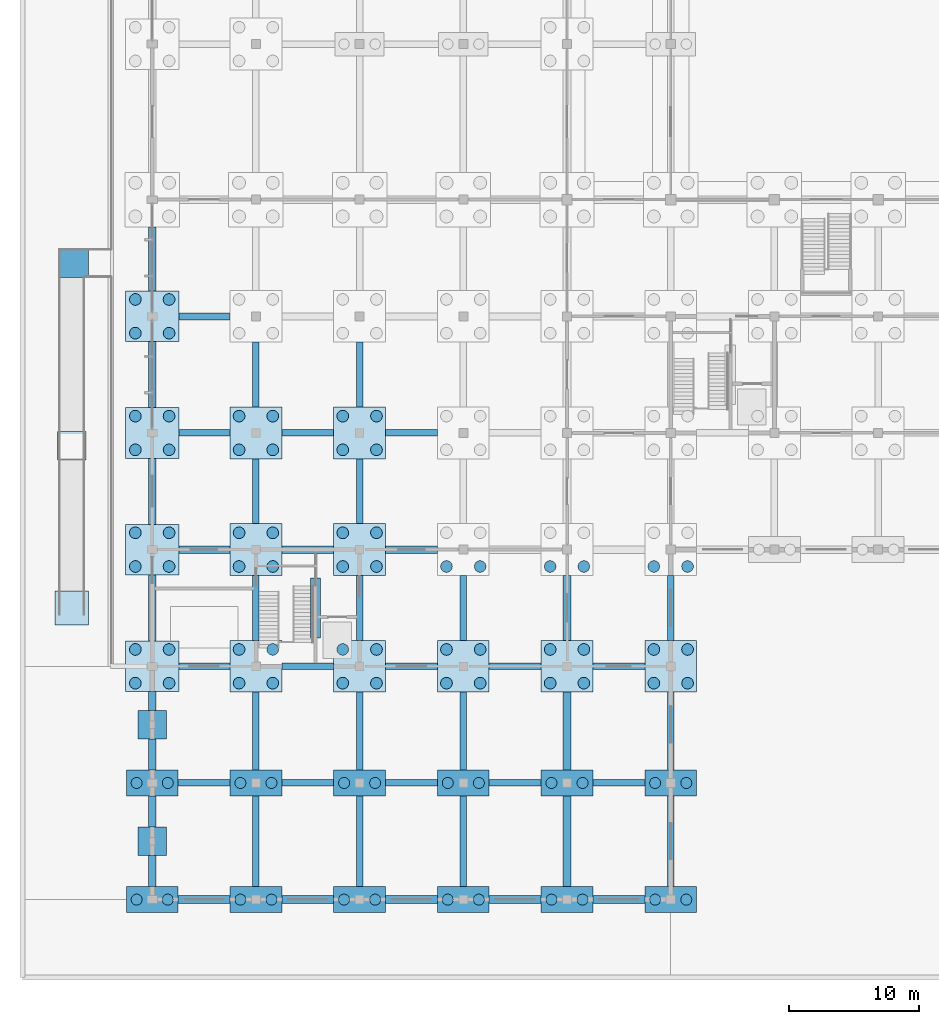
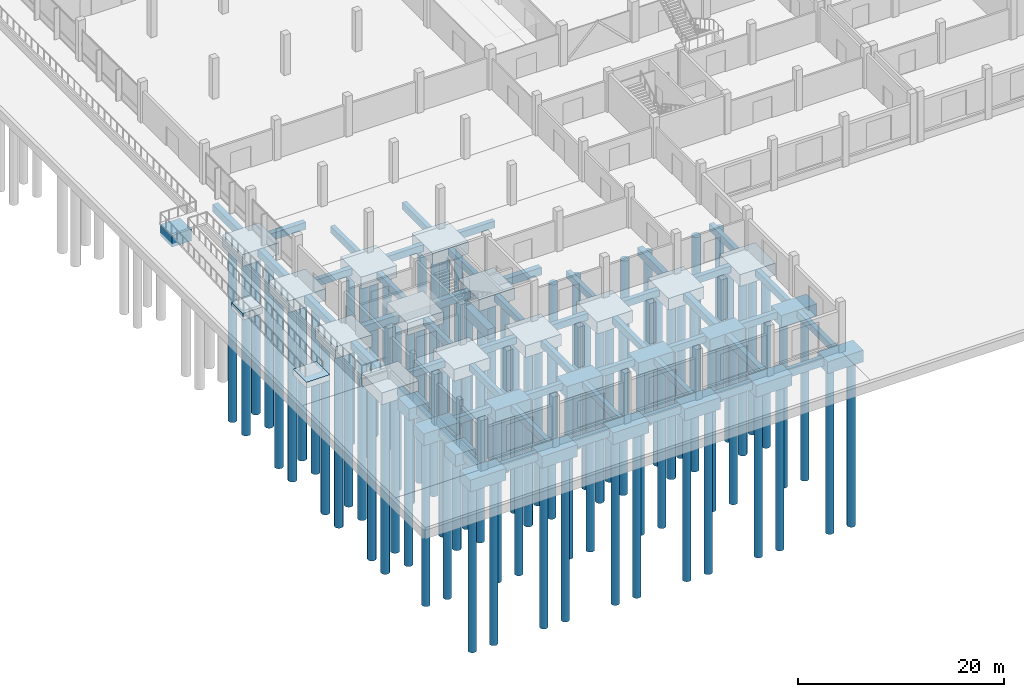
# One storey, part 1 of 72: 82 piles, 80 footings.
"""IFC4 building model written with IfcOpenShell, lengths in metres."""

from ifc_helpers import new_model, si_unit, direction, frame, origin, origin_2d, place, context, subcontext, project, spatial, rectangle, circle, extrude, material, material_profile, profile_set, type_object, element, save


model = new_model("IFC4")

# Units and contexts
model_context = context("Model", 3, precision=1e-05, world=origin(), true_north=direction((0.0, 1.0)))
body_context = subcontext(model_context, "Body", "Model", "MODEL_VIEW")
ifc_project = project(units=[si_unit("LENGTHUNIT", "METRE"), si_unit("AREAUNIT", "SQUARE_METRE"), si_unit("VOLUMEUNIT", "CUBIC_METRE"), si_unit("PLANEANGLEUNIT", "RADIAN"), si_unit("MASSUNIT", "GRAM", prefix="KILO"), si_unit("THERMODYNAMICTEMPERATUREUNIT", "KELVIN"), si_unit("POWERUNIT", "WATT")], contexts=[model_context])

# Site, building, storey
site_placement = place(None, origin())
site = spatial("IfcSite", under=ifc_project, at=site_placement, CompositionType="ELEMENT")
building_placement = place(site_placement, origin())
building = spatial("IfcBuilding", under=site, at=building_placement, Name="Kronsvod Quay Wholesale Market", CompositionType="ELEMENT")
storey_placement = place(building_placement, origin())
storey = spatial("IfcBuildingStorey", under=building, at=storey_placement, Name="L00", CompositionType="ELEMENT", Elevation=0.0)

# Footings
ifc_material_1 = material(Name="Concrete C35/45", Category="concrete")
footing_type_1 = type_object("IfcFootingType", Name="Cap_PC2B", PredefinedType="PILE_CAP", material=ifc_material_1)
for number, where, z_axis, x_axis, name in (
    (1, (0.0, 0.0, -2.64990234375), (0.0, 0.0, 1.0), (1.0, 0.0, 0.0), "CAP-021"),
    (2, (0.0, 9.0, -2.64990234375), (0.0, 0.0, 1.0), (1.0, 0.0, 0.0), "CAP-022"),
    (3, (8.0, 0.0, -2.64990234375), (0.0, 0.0, 1.0), (1.0, 0.0, 0.0), "CAP-033"),
    (4, (8.0, 9.0, -2.64990234375), (0.0, 0.0, 1.0), (1.0, 0.0, 0.0), "CAP-034"),
    (5, (16.0, 0.0, -2.64990234375), (0.0, 0.0, 1.0), (1.0, 0.0, 0.0), "CAP-045"),
    (6, (16.0, 9.0, -2.64990234375), (0.0, 0.0, 1.0), (1.0, 0.0, 0.0), "CAP-046"),
    (7, (24.0, 0.0, -2.64990234375), (0.0, 0.0, 1.0), (1.0, 0.0, 0.0), "CAP-057"),
    (8, (24.0, 9.0, -2.64990234375), (0.0, 0.0, 1.0), (1.0, 0.0, 0.0), "CAP-058"),
    (9, (32.0, 0.0, -2.64990234375), (0.0, 0.0, 1.0), (1.0, 0.0, 0.0), "CAP-069"),
    (10, (32.0, 9.0, -2.64990234375), (0.0, 0.0, 1.0), (1.0, 0.0, 0.0), "CAP-070"),
    (11, (40.0, 0.0, -2.64990234375), (0.0, 0.0, 1.0), (1.0, 0.0, 0.0), "CAP-083"),
    (12, (40.0, 9.0, -2.64990234375), (0.0, 0.0, 1.0), (1.0, 0.0, 0.0), "CAP-084"),
):
    element("IfcFooting", number, at=place(storey_placement, frame(where, z_axis=z_axis, x_axis=x_axis)), inside=storey, type_object=footing_type_1, Name=name, PredefinedType="PILE_CAP", context=body_context, shape_type="SweptSolid", body=[
        extrude(rectangle(XDim=4.0, YDim=2.0, at=origin_2d()), origin(), (0.0, 0.0, 1.0), 1.39990234375),
    ])
ifc_material_2 = material(Name="Concrete C35/45", Category="concrete")
footing_type_2 = type_object("IfcFootingType", Name="Cap_PC4A", PredefinedType="PILE_CAP", material=ifc_material_2)
for number, where, z_axis, x_axis, name in (
    (13, (8.0, 18.0, -2.64990234375), (0.0, 0.0, 1.0), (1.0, 0.0, 0.0), "CAP-035"),
    (14, (8.0, 27.0, -2.64990234375), (0.0, 0.0, 1.0), (1.0, 0.0, 0.0), "CAP-036"),
    (15, (8.0, 36.0, -2.64990234375), (0.0, 0.0, 1.0), (1.0, 0.0, 0.0), "CAP-037"),
    (16, (16.0, 18.0, -2.64990234375), (0.0, 0.0, 1.0), (1.0, 0.0, 0.0), "CAP-047"),
    (17, (16.0, 27.0, -2.64990234375), (0.0, 0.0, 1.0), (1.0, 0.0, 0.0), "CAP-048"),
    (18, (16.0, 36.0, -2.64990234375), (0.0, 0.0, 1.0), (1.0, 0.0, 0.0), "CAP-049"),
    (19, (24.0, 18.0, -2.64990234375), (0.0, 0.0, 1.0), (1.0, 0.0, 0.0), "CAP-059"),
    (20, (32.0, 18.0, -2.64990234375), (0.0, 0.0, 1.0), (1.0, 0.0, 0.0), "CAP-071"),
    (21, (40.0, 18.0, -2.64990234375), (0.0, 0.0, 1.0), (1.0, 0.0, 0.0), "CAP-085"),
):
    element("IfcFooting", number, at=place(storey_placement, frame(where, z_axis=z_axis, x_axis=x_axis)), inside=storey, type_object=footing_type_2, Name=name, PredefinedType="PILE_CAP", context=body_context, shape_type="SweptSolid", body=[
        extrude(rectangle(XDim=4.0, YDim=4.0, at=origin_2d()), origin(), (0.0, 0.0, 1.0), 1.39990234375),
    ])
ifc_material_3 = material(Name="Concrete C35/45", Category="concrete")
footing_type_3 = type_object("IfcFootingType", Name="Cap_PC4C", PredefinedType="PILE_CAP", material=ifc_material_3)
for number, where, z_axis, x_axis, name in (
    (22, (0.0, 18.0, -2.64990234375), (0.0, 0.0, 1.0), (1.0, 0.0, 0.0), "CAP-023"),
    (23, (0.0, 27.0, -2.64990234375), (0.0, 0.0, 1.0), (1.0, 0.0, 0.0), "CAP-024"),
    (24, (0.0, 36.0, -2.64990234375), (0.0, 0.0, 1.0), (1.0, 0.0, 0.0), "CAP-025"),
    (25, (0.0, 45.0, -2.64990234375), (0.0, 0.0, 1.0), (1.0, 0.0, 0.0), "CAP-026"),
):
    element("IfcFooting", number, at=place(storey_placement, frame(where, z_axis=z_axis, x_axis=x_axis)), inside=storey, type_object=footing_type_3, Name=name, PredefinedType="PILE_CAP", context=body_context, shape_type="SweptSolid", body=[
        extrude(rectangle(XDim=4.10009765625, YDim=3.89990234375, at=origin_2d()), origin(), (0.0, 0.0, 1.0), 1.39990234375),
    ])
ifc_material_4 = material(Name="Concrete C35/45", Category="concrete")
ifc_material_profile_1 = material_profile(ifc_material_4, rectangle(XDim=0.5, YDim=0.800048828125, at=origin_2d()), Name="FB-01")
ifc_profile_set_1 = profile_set([ifc_material_profile_1], Name="Concrete C35/45")
footing_type_4 = type_object("IfcFootingType", Name="FootingBeam_500x800", PredefinedType="FOOTING_BEAM", material=ifc_profile_set_1)
for number, where, z_axis, x_axis, name in (
    (26, (2.0, 9.0, -1.64990234375), (1.0, 0.0, 0.0), (0.0, 1.0, 0.0), "FB-X-0006"),
    (27, (10.0, 9.0, -1.64990234375), (1.0, 0.0, 0.0), (0.0, 1.0, 0.0), "FB-X-0007"),
    (28, (18.0, 9.0, -1.64990234375), (1.0, 0.0, 0.0), (0.0, 1.0, 0.0), "FB-X-0008"),
    (29, (26.0, 9.0, -1.64990234375), (1.0, 0.0, 0.0), (0.0, 1.0, 0.0), "FB-X-0009"),
    (30, (34.0, 9.0, -1.64990234375), (1.0, 0.0, 0.0), (0.0, 1.0, 0.0), "FB-X-0010"),
):
    element("IfcFooting", number, at=place(storey_placement, frame(where, z_axis=z_axis, x_axis=x_axis)), inside=storey, type_object=footing_type_4, Name=name, PredefinedType="FOOTING_BEAM", context=body_context, shape_type="SweptSolid", body=[
        extrude(rectangle(XDim=0.5, YDim=0.800048828125, at=origin_2d()), origin(), (0.0, 0.0, 1.0), 4.0),
    ])
footing_1_placement = place(storey_placement, frame((2.050048828125, 18.0, -1.64990234375), z_axis=(1.0, 0.0, 0.0), x_axis=(0.0, 1.0, 0.0)))
element("IfcFooting", 31, at=footing_1_placement, inside=storey, type_object=footing_type_4, Name="FB-X-0011", PredefinedType="FOOTING_BEAM", context=body_context, shape_type="SweptSolid", body=[
    extrude(rectangle(XDim=0.5, YDim=0.800048828125, at=origin_2d()), origin(), (0.0, 0.0, 1.0), 3.949951171875),
])
for number, where, z_axis, x_axis, name in (
    (32, (10.0, 18.0, -1.64990234375), (1.0, 0.0, 0.0), (0.0, 1.0, 0.0), "FB-X-0012"),
    (33, (18.0, 18.0, -1.64990234375), (1.0, 0.0, 0.0), (0.0, 1.0, 0.0), "FB-X-0013"),
    (34, (26.0, 18.0, -1.64990234375), (1.0, 0.0, 0.0), (0.0, 1.0, 0.0), "FB-X-0014"),
    (35, (34.0, 18.0, -1.64990234375), (1.0, 0.0, 0.0), (0.0, 1.0, 0.0), "FB-X-0015"),
):
    element("IfcFooting", number, at=place(storey_placement, frame(where, z_axis=z_axis, x_axis=x_axis)), inside=storey, type_object=footing_type_4, Name=name, PredefinedType="FOOTING_BEAM", context=body_context, shape_type="SweptSolid", body=[
        extrude(rectangle(XDim=0.5, YDim=0.800048828125, at=origin_2d()), origin(), (0.0, 0.0, 1.0), 4.0),
    ])
footing_2_placement = place(storey_placement, frame((2.050048828125, 36.0, -1.64990234375), z_axis=(1.0, 0.0, 0.0), x_axis=(0.0, 1.0, 0.0)))
element("IfcFooting", 36, at=footing_2_placement, inside=storey, type_object=footing_type_4, Name="FB-X-0024", PredefinedType="FOOTING_BEAM", context=body_context, shape_type="SweptSolid", body=[
    extrude(rectangle(XDim=0.5, YDim=0.800048828125, at=origin_2d()), origin(), (0.0, 0.0, 1.0), 3.949951171875),
])
for number, where, z_axis, x_axis, name in (
    (37, (10.0, 36.0, -1.64990234375), (1.0, 0.0, 0.0), (0.0, 1.0, 0.0), "FB-X-0025"),
    (38, (18.0, 36.0, -1.64990234375), (1.0, 0.0, 0.0), (0.0, 1.0, 0.0), "FB-X-0026"),
):
    element("IfcFooting", number, at=place(storey_placement, frame(where, z_axis=z_axis, x_axis=x_axis)), inside=storey, type_object=footing_type_4, Name=name, PredefinedType="FOOTING_BEAM", context=body_context, shape_type="SweptSolid", body=[
        extrude(rectangle(XDim=0.5, YDim=0.800048828125, at=origin_2d()), origin(), (0.0, 0.0, 1.0), 4.0),
    ])
footing_3_placement = place(storey_placement, frame((8.0, 1.0, -1.64990234375), z_axis=(0.0, 1.0, 0.0), x_axis=(-1.0, 0.0, 0.0)))
element("IfcFooting", 39, at=footing_3_placement, inside=storey, type_object=footing_type_4, Name="FB-Y-0106", PredefinedType="FOOTING_BEAM", context=body_context, shape_type="SweptSolid", body=[
    extrude(rectangle(XDim=0.5, YDim=0.800048828125, at=origin_2d()), origin(), (0.0, 0.0, 1.0), 7.0),
])
footing_4_placement = place(storey_placement, frame((8.0, 10.0, -1.64990234375), z_axis=(0.0, 1.0, 0.0), x_axis=(-1.0, 0.0, 0.0)))
element("IfcFooting", 40, at=footing_4_placement, inside=storey, type_object=footing_type_4, Name="FB-Y-0107", PredefinedType="FOOTING_BEAM", context=body_context, shape_type="SweptSolid", body=[
    extrude(rectangle(XDim=0.5, YDim=0.800048828125, at=origin_2d()), origin(), (0.0, 0.0, 1.0), 6.0),
])
for number, where, z_axis, x_axis, name in (
    (41, (8.0, 20.0, -1.64990234375), (0.0, 1.0, 0.0), (-1.0, 0.0, 0.0), "FB-Y-0108"),
    (42, (8.0, 29.0, -1.64990234375), (0.0, 1.0, 0.0), (-1.0, 0.0, 0.0), "FB-Y-0109"),
    (43, (8.0, 38.0, -1.64990234375), (0.0, 1.0, 0.0), (-1.0, 0.0, 0.0), "FB-Y-0110"),
):
    element("IfcFooting", number, at=place(storey_placement, frame(where, z_axis=z_axis, x_axis=x_axis)), inside=storey, type_object=footing_type_4, Name=name, PredefinedType="FOOTING_BEAM", context=body_context, shape_type="SweptSolid", body=[
        extrude(rectangle(XDim=0.5, YDim=0.800048828125, at=origin_2d()), origin(), (0.0, 0.0, 1.0), 5.0),
    ])
footing_5_placement = place(storey_placement, frame((16.0, 1.0, -1.64990234375), z_axis=(0.0, 1.0, 0.0), x_axis=(-1.0, 0.0, 0.0)))
element("IfcFooting", 44, at=footing_5_placement, inside=storey, type_object=footing_type_4, Name="FB-Y-0117", PredefinedType="FOOTING_BEAM", context=body_context, shape_type="SweptSolid", body=[
    extrude(rectangle(XDim=0.5, YDim=0.800048828125, at=origin_2d()), origin(), (0.0, 0.0, 1.0), 7.0),
])
footing_6_placement = place(storey_placement, frame((16.0, 10.0, -1.64990234375), z_axis=(0.0, 1.0, 0.0), x_axis=(-1.0, 0.0, 0.0)))
element("IfcFooting", 45, at=footing_6_placement, inside=storey, type_object=footing_type_4, Name="FB-Y-0118", PredefinedType="FOOTING_BEAM", context=body_context, shape_type="SweptSolid", body=[
    extrude(rectangle(XDim=0.5, YDim=0.800048828125, at=origin_2d()), origin(), (0.0, 0.0, 1.0), 6.0),
])
for number, where, z_axis, x_axis, name in (
    (46, (16.0, 20.0, -1.64990234375), (0.0, 1.0, 0.0), (-1.0, 0.0, 0.0), "FB-Y-0119"),
    (47, (16.0, 29.0, -1.64990234375), (0.0, 1.0, 0.0), (-1.0, 0.0, 0.0), "FB-Y-0120"),
    (48, (16.0, 38.0, -1.64990234375), (0.0, 1.0, 0.0), (-1.0, 0.0, 0.0), "FB-Y-0121"),
):
    element("IfcFooting", number, at=place(storey_placement, frame(where, z_axis=z_axis, x_axis=x_axis)), inside=storey, type_object=footing_type_4, Name=name, PredefinedType="FOOTING_BEAM", context=body_context, shape_type="SweptSolid", body=[
        extrude(rectangle(XDim=0.5, YDim=0.800048828125, at=origin_2d()), origin(), (0.0, 0.0, 1.0), 5.0),
    ])
footing_7_placement = place(storey_placement, frame((24.0, 1.0, -1.64990234375), z_axis=(0.0, 1.0, 0.0), x_axis=(-1.0, 0.0, 0.0)))
element("IfcFooting", 49, at=footing_7_placement, inside=storey, type_object=footing_type_4, Name="FB-Y-0128", PredefinedType="FOOTING_BEAM", context=body_context, shape_type="SweptSolid", body=[
    extrude(rectangle(XDim=0.5, YDim=0.800048828125, at=origin_2d()), origin(), (0.0, 0.0, 1.0), 7.0),
])
footing_8_placement = place(storey_placement, frame((24.0, 10.0, -1.64990234375), z_axis=(0.0, 1.0, 0.0), x_axis=(-1.0, 0.0, 0.0)))
element("IfcFooting", 50, at=footing_8_placement, inside=storey, type_object=footing_type_4, Name="FB-Y-0129", PredefinedType="FOOTING_BEAM", context=body_context, shape_type="SweptSolid", body=[
    extrude(rectangle(XDim=0.5, YDim=0.800048828125, at=origin_2d()), origin(), (0.0, 0.0, 1.0), 6.0),
])
footing_9_placement = place(storey_placement, frame((24.0, 20.0, -1.64990234375), z_axis=(0.0, 1.0, 0.0), x_axis=(-1.0, 0.0, 0.0)))
element("IfcFooting", 51, at=footing_9_placement, inside=storey, type_object=footing_type_4, Name="FB-Y-0130", PredefinedType="FOOTING_BEAM", context=body_context, shape_type="SweptSolid", body=[
    extrude(rectangle(XDim=0.5, YDim=0.800048828125, at=origin_2d()), origin(), (0.0, 0.0, 1.0), 5.0),
])
footing_10_placement = place(storey_placement, frame((40.0, 1.0, -1.64990234375), z_axis=(0.0, 1.0, 0.0), x_axis=(-1.0, 0.0, 0.0)))
element("IfcFooting", 52, at=footing_10_placement, inside=storey, type_object=footing_type_4, Name="FB-Y-0152", PredefinedType="FOOTING_BEAM", context=body_context, shape_type="SweptSolid", body=[
    extrude(rectangle(XDim=0.5, YDim=0.800048828125, at=origin_2d()), origin(), (0.0, 0.0, 1.0), 7.0),
])
footing_11_placement = place(storey_placement, frame((40.0, 10.0, -1.64990234375), z_axis=(0.0, 1.0, 0.0), x_axis=(-1.0, 0.0, 0.0)))
element("IfcFooting", 53, at=footing_11_placement, inside=storey, type_object=footing_type_4, Name="FB-Y-0153", PredefinedType="FOOTING_BEAM", context=body_context, shape_type="SweptSolid", body=[
    extrude(rectangle(XDim=0.5, YDim=0.800048828125, at=origin_2d()), origin(), (0.0, 0.0, 1.0), 6.0),
])
footing_12_placement = place(storey_placement, frame((40.0, 20.0, -1.64990234375), z_axis=(0.0, 1.0, 0.0), x_axis=(-1.0, 0.0, 0.0)))
element("IfcFooting", 54, at=footing_12_placement, inside=storey, type_object=footing_type_4, Name="FB-Y-0154", PredefinedType="FOOTING_BEAM", context=body_context, shape_type="SweptSolid", body=[
    extrude(rectangle(XDim=0.5, YDim=0.800048828125, at=origin_2d()), origin(), (0.0, 0.0, 1.0), 5.0),
])
ifc_material_5 = material(Name="Concrete C35/45", Category="concrete")
ifc_material_profile_2 = material_profile(ifc_material_5, rectangle(XDim=0.550048828125, YDim=0.85009765625, at=origin_2d()), Name="FB-03")
ifc_profile_set_2 = profile_set([ifc_material_profile_2], Name="Concrete C35/45")
footing_type_5 = type_object("IfcFootingType", Name="FootingBeam_550x850", PredefinedType="FOOTING_BEAM", material=ifc_profile_set_2)
footing_13_placement = place(storey_placement, frame((2.050048828125, 45.0, -1.675048828125), z_axis=(1.0, 0.0, 0.0), x_axis=(0.0, 1.0, 0.0)))
element("IfcFooting", 55, at=footing_13_placement, inside=storey, type_object=footing_type_5, Name="FB-X-0032", PredefinedType="FOOTING_BEAM", context=body_context, shape_type="SweptSolid", body=[
    extrude(rectangle(XDim=0.550048828125, YDim=0.85009765625, at=origin_2d()), origin(), (0.0, 0.0, 1.0), 3.949951171875),
])
ifc_material_6 = material(Name="Concrete C35/45", Category="concrete")
ifc_material_profile_3 = material_profile(ifc_material_6, rectangle(XDim=0.60009765625, YDim=0.89990234375, at=origin_2d()), Name="FB-02")
ifc_profile_set_3 = profile_set([ifc_material_profile_3], Name="Concrete C35/45")
footing_type_6 = type_object("IfcFootingType", Name="FootingBeam_600x900", PredefinedType="FOOTING_BEAM", material=ifc_profile_set_3)
for number, where, z_axis, x_axis, name in (
    (56, (2.0, 0.0, -1.699951171875), (1.0, 0.0, 0.0), (0.0, 1.0, 0.0), "FB-X-0001"),
    (57, (10.0, 0.0, -1.699951171875), (1.0, 0.0, 0.0), (0.0, 1.0, 0.0), "FB-X-0002"),
    (58, (18.0, 0.0, -1.699951171875), (1.0, 0.0, 0.0), (0.0, 1.0, 0.0), "FB-X-0003"),
    (59, (26.0, 0.0, -1.699951171875), (1.0, 0.0, 0.0), (0.0, 1.0, 0.0), "FB-X-0004"),
    (60, (34.0, 0.0, -1.699951171875), (1.0, 0.0, 0.0), (0.0, 1.0, 0.0), "FB-X-0005"),
):
    element("IfcFooting", number, at=place(storey_placement, frame(where, z_axis=z_axis, x_axis=x_axis)), inside=storey, type_object=footing_type_6, Name=name, PredefinedType="FOOTING_BEAM", context=body_context, shape_type="SweptSolid", body=[
        extrude(rectangle(XDim=0.60009765625, YDim=0.89990234375, at=origin_2d()), origin(), (0.0, 0.0, 1.0), 4.0),
    ])
footing_14_placement = place(storey_placement, frame((2.050048828125, 27.0, -1.699951171875), z_axis=(1.0, 0.0, 0.0), x_axis=(0.0, 1.0, 0.0)))
element("IfcFooting", 61, at=footing_14_placement, inside=storey, type_object=footing_type_6, Name="FB-X-0016", PredefinedType="FOOTING_BEAM", context=body_context, shape_type="SweptSolid", body=[
    extrude(rectangle(XDim=0.60009765625, YDim=0.89990234375, at=origin_2d()), origin(), (0.0, 0.0, 1.0), 3.949951171875),
])
for number, where, z_axis, x_axis, name in (
    (62, (10.0, 27.0, -1.699951171875), (1.0, 0.0, 0.0), (0.0, 1.0, 0.0), "FB-X-0017"),
    (63, (18.0, 27.0, -1.699951171875), (1.0, 0.0, 0.0), (0.0, 1.0, 0.0), "FB-X-0018"),
):
    element("IfcFooting", number, at=place(storey_placement, frame(where, z_axis=z_axis, x_axis=x_axis)), inside=storey, type_object=footing_type_6, Name=name, PredefinedType="FOOTING_BEAM", context=body_context, shape_type="SweptSolid", body=[
        extrude(rectangle(XDim=0.60009765625, YDim=0.89990234375, at=origin_2d()), origin(), (0.0, 0.0, 1.0), 4.0),
    ])
for number, where, z_axis, x_axis, name in (
    (64, (0.0, 1.0, -1.699951171875), (0.0, 1.0, 0.0), (-1.0, 0.0, 0.0), "FB-Y-0093"),
    (65, (0.0, 5.60009765625, -1.699951171875), (0.0, 1.0, 0.0), (-1.0, 0.0, 0.0), "FB-Y-0094"),
    (66, (0.0, 10.0, -1.699951171875), (0.0, 1.0, 0.0), (-1.0, 0.0, 0.0), "FB-Y-0095"),
):
    element("IfcFooting", number, at=place(storey_placement, frame(where, z_axis=z_axis, x_axis=x_axis)), inside=storey, type_object=footing_type_6, Name=name, PredefinedType="FOOTING_BEAM", context=body_context, shape_type="SweptSolid", body=[
        extrude(rectangle(XDim=0.60009765625, YDim=0.89990234375, at=origin_2d()), origin(), (0.0, 0.0, 1.0), 2.39990234375),
    ])
footing_15_placement = place(storey_placement, frame((0.0, 14.60009765625, -1.699951171875), z_axis=(0.0, 1.0, 0.0), x_axis=(-1.0, 0.0, 0.0)))
element("IfcFooting", 67, at=footing_15_placement, inside=storey, type_object=footing_type_6, Name="FB-Y-0096", PredefinedType="FOOTING_BEAM", context=body_context, shape_type="SweptSolid", body=[
    extrude(rectangle(XDim=0.60009765625, YDim=0.89990234375, at=origin_2d()), origin(), (0.0, 0.0, 1.0), 1.449951171875),
])
for number, where, z_axis, x_axis, name in (
    (68, (0.0, 19.949951171875, -1.699951171875), (0.0, 1.0, 0.0), (-1.0, 0.0, 0.0), "FB-Y-0097"),
    (69, (0.0, 28.949951171875, -1.699951171875), (0.0, 1.0, 0.0), (-1.0, 0.0, 0.0), "FB-Y-0098"),
    (70, (0.0, 37.949951171875, -1.699951171875), (0.0, 1.0, 0.0), (-1.0, 0.0, 0.0), "FB-Y-0099"),
):
    element("IfcFooting", number, at=place(storey_placement, frame(where, z_axis=z_axis, x_axis=x_axis)), inside=storey, type_object=footing_type_6, Name=name, PredefinedType="FOOTING_BEAM", context=body_context, shape_type="SweptSolid", body=[
        extrude(rectangle(XDim=0.60009765625, YDim=0.89990234375, at=origin_2d()), origin(), (0.0, 0.0, 1.0), 5.10009765625),
    ])
footing_16_placement = place(storey_placement, frame((0.0, 46.949951171875, -1.699951171875), z_axis=(0.0, 1.0, 0.0), x_axis=(-1.0, 0.0, 0.0)))
element("IfcFooting", 71, at=footing_16_placement, inside=storey, type_object=footing_type_6, Name="FB-Y-0100", PredefinedType="FOOTING_BEAM", context=body_context, shape_type="SweptSolid", body=[
    extrude(rectangle(XDim=0.60009765625, YDim=0.89990234375, at=origin_2d()), origin(), (0.0, 0.0, 1.0), 4.949951171875),
])
footing_17_placement = place(storey_placement, frame((32.0, 1.0, -1.699951171875), z_axis=(0.0, 1.0, 0.0), x_axis=(-1.0, 0.0, 0.0)))
element("IfcFooting", 72, at=footing_17_placement, inside=storey, type_object=footing_type_6, Name="FB-Y-0139", PredefinedType="FOOTING_BEAM", context=body_context, shape_type="SweptSolid", body=[
    extrude(rectangle(XDim=0.60009765625, YDim=0.89990234375, at=origin_2d()), origin(), (0.0, 0.0, 1.0), 7.0),
])
footing_18_placement = place(storey_placement, frame((32.0, 10.0, -1.699951171875), z_axis=(0.0, 1.0, 0.0), x_axis=(-1.0, 0.0, 0.0)))
element("IfcFooting", 73, at=footing_18_placement, inside=storey, type_object=footing_type_6, Name="FB-Y-0140", PredefinedType="FOOTING_BEAM", context=body_context, shape_type="SweptSolid", body=[
    extrude(rectangle(XDim=0.60009765625, YDim=0.89990234375, at=origin_2d()), origin(), (0.0, 0.0, 1.0), 6.0),
])
footing_19_placement = place(storey_placement, frame((32.0, 20.0, -1.699951171875), z_axis=(0.0, 1.0, 0.0), x_axis=(-1.0, 0.0, 0.0)))
element("IfcFooting", 74, at=footing_19_placement, inside=storey, type_object=footing_type_6, Name="FB-Y-0141", PredefinedType="FOOTING_BEAM", context=body_context, shape_type="SweptSolid", body=[
    extrude(rectangle(XDim=0.60009765625, YDim=0.89990234375, at=origin_2d()), origin(), (0.0, 0.0, 1.0), 5.0),
])
ifc_material_7 = material(Name="Concrete C35/45", Category="concrete")
footing_type_7 = type_object("IfcFootingType", Name="Pad_PF1", PredefinedType="PAD_FOOTING", material=ifc_material_7)
for number, where, z_axis, x_axis, name in (
    (75, (0.0, 4.5, -2.64990234375), (0.0, 0.0, 1.0), (1.0, 0.0, 0.0), "PAD-01"),
    (76, (0.0, 13.5, -2.64990234375), (0.0, 0.0, 1.0), (1.0, 0.0, 0.0), "PAD-02"),
):
    element("IfcFooting", number, at=place(storey_placement, frame(where, z_axis=z_axis, x_axis=x_axis)), inside=storey, type_object=footing_type_7, Name=name, PredefinedType="PAD_FOOTING", context=body_context, shape_type="SweptSolid", body=[
        extrude(rectangle(XDim=2.199951171875, YDim=2.199951171875, at=origin_2d()), origin(), (0.0, 0.0, 1.0), 1.39990234375),
    ])
ifc_material_8 = material(Name="Concrete C35/45", Category="concrete")
footing_type_8 = type_object("IfcFootingType", Name="Pad_PFRamp", PredefinedType="PAD_FOOTING", material=ifc_material_8)
footing_20_placement = place(storey_placement, frame((-6.199951171875, 22.5, -1.89990234375), z_axis=(0.0, 0.0, 1.0), x_axis=(1.0, 0.0, 0.0)))
element("IfcFooting", 77, at=footing_20_placement, inside=storey, type_object=footing_type_8, Name="PAD-09", PredefinedType="PAD_FOOTING", context=body_context, shape_type="SweptSolid", body=[
    extrude(rectangle(XDim=2.60009765625, YDim=2.60009765625, at=origin_2d()), origin(), (0.0, 0.0, 1.0), 0.699951171875),
])
footing_21_placement = place(storey_placement, frame((-6.199951171875, 35.0, -1.60009765625), z_axis=(0.0, 0.0, 1.0), x_axis=(1.0, 0.0, 0.0)))
element("IfcFooting", 78, at=footing_21_placement, inside=storey, type_object=footing_type_8, Name="RMP-W01-PIER1", PredefinedType="PAD_FOOTING", context=body_context, shape_type="SweptSolid", body=[
    extrude(rectangle(XDim=2.199951171875, YDim=2.199951171875, at=origin_2d()), origin(), (0.0, 0.0, 1.0), 0.780029296875),
])
footing_22_placement = place(storey_placement, frame((-6.0, 49.10009765625, -1.599853515625), z_axis=(0.0, 0.0, 1.0), x_axis=(1.0, 0.0, 0.0)))
element("IfcFooting", 79, at=footing_22_placement, inside=storey, type_object=footing_type_8, Name="RMP-W01-PIER2", PredefinedType="PAD_FOOTING", context=body_context, shape_type="SweptSolid", body=[
    extrude(rectangle(XDim=2.199951171875, YDim=2.199951171875, at=origin_2d()), origin(), (0.0, 0.0, 1.0), 1.3798828125),
])

# Piles
ifc_material_9 = material(Name="Concrete C35/45", Category="concrete")
ifc_material_profile_4 = material_profile(ifc_material_9, circle(Radius=0.425048828125, at=origin_2d()), Name="PILE850")
ifc_profile_set_4 = profile_set([ifc_material_profile_4], Name="Concrete C35/45")
pile_type_1 = type_object("IfcPileType", Name="Pile_PILE850", PredefinedType="BORED", material=ifc_profile_set_4)
for number, where, z_axis, x_axis, name in (
    (80, (-1.199951171875, 0.0, -2.64990234375), (0.0, 0.0, -1.0), (1.0, 0.0, 0.0), "PILE-0121"),
    (81, (1.199951171875, 0.0, -2.64990234375), (0.0, 0.0, -1.0), (1.0, 0.0, 0.0), "PILE-0122"),
    (82, (-1.199951171875, 9.0, -2.64990234375), (0.0, 0.0, -1.0), (1.0, 0.0, 0.0), "PILE-0123"),
    (83, (1.199951171875, 9.0, -2.64990234375), (0.0, 0.0, -1.0), (1.0, 0.0, 0.0), "PILE-0124"),
    (84, (6.800048828125, 0.0, -2.64990234375), (0.0, 0.0, -1.0), (1.0, 0.0, 0.0), "PILE-0165"),
    (85, (9.199951171875, 0.0, -2.64990234375), (0.0, 0.0, -1.0), (1.0, 0.0, 0.0), "PILE-0166"),
    (86, (6.800048828125, 9.0, -2.64990234375), (0.0, 0.0, -1.0), (1.0, 0.0, 0.0), "PILE-0167"),
    (87, (9.199951171875, 9.0, -2.64990234375), (0.0, 0.0, -1.0), (1.0, 0.0, 0.0), "PILE-0168"),
    (88, (14.800048828125, 0.0, -2.64990234375), (0.0, 0.0, -1.0), (1.0, 0.0, 0.0), "PILE-0209"),
    (89, (17.199951171875, 0.0, -2.64990234375), (0.0, 0.0, -1.0), (1.0, 0.0, 0.0), "PILE-0210"),
    (90, (14.800048828125, 9.0, -2.64990234375), (0.0, 0.0, -1.0), (1.0, 0.0, 0.0), "PILE-0211"),
    (91, (17.199951171875, 9.0, -2.64990234375), (0.0, 0.0, -1.0), (1.0, 0.0, 0.0), "PILE-0212"),
    (92, (22.800048828125, 0.0, -2.64990234375), (0.0, 0.0, -1.0), (1.0, 0.0, 0.0), "PILE-0251"),
    (93, (25.199951171875, 0.0, -2.64990234375), (0.0, 0.0, -1.0), (1.0, 0.0, 0.0), "PILE-0252"),
    (94, (22.800048828125, 9.0, -2.64990234375), (0.0, 0.0, -1.0), (1.0, 0.0, 0.0), "PILE-0253"),
    (95, (25.199951171875, 9.0, -2.64990234375), (0.0, 0.0, -1.0), (1.0, 0.0, 0.0), "PILE-0254"),
    (96, (30.800048828125, 0.0, -2.64990234375), (0.0, 0.0, -1.0), (1.0, 0.0, 0.0), "PILE-0293"),
    (97, (33.199951171875, 0.0, -2.64990234375), (0.0, 0.0, -1.0), (1.0, 0.0, 0.0), "PILE-0294"),
    (98, (30.800048828125, 9.0, -2.64990234375), (0.0, 0.0, -1.0), (1.0, 0.0, 0.0), "PILE-0295"),
    (99, (33.199951171875, 9.0, -2.64990234375), (0.0, 0.0, -1.0), (1.0, 0.0, 0.0), "PILE-0296"),
    (100, (38.800048828125, 0.0, -2.64990234375), (0.0, 0.0, -1.0), (1.0, 0.0, 0.0), "PILE-0345"),
    (101, (41.199951171875, 0.0, -2.64990234375), (0.0, 0.0, -1.0), (1.0, 0.0, 0.0), "PILE-0346"),
    (102, (38.800048828125, 9.0, -2.64990234375), (0.0, 0.0, -1.0), (1.0, 0.0, 0.0), "PILE-0347"),
    (103, (41.199951171875, 9.0, -2.64990234375), (0.0, 0.0, -1.0), (1.0, 0.0, 0.0), "PILE-0348"),
):
    element("IfcPile", number, at=place(storey_placement, frame(where, z_axis=z_axis, x_axis=x_axis)), inside=storey, type_object=pile_type_1, Name=name, PredefinedType="BORED", context=body_context, shape_type="SweptSolid", body=[
        extrude(circle(Radius=0.425048828125, at=origin_2d()), origin(), (0.0, 0.0, 1.0), 19.60009765625),
    ])
ifc_material_10 = material(Name="Concrete C35/45", Category="concrete")
ifc_material_profile_5 = material_profile(ifc_material_10, circle(Radius=0.449951171875, at=origin_2d()), Name="PILE900")
ifc_profile_set_5 = profile_set([ifc_material_profile_5], Name="Concrete C35/45")
pile_type_2 = type_object("IfcPileType", Name="Pile_PILE900", PredefinedType="BORED", material=ifc_profile_set_5)
for number, where, z_axis, x_axis, name in (
    (104, (-1.300048828125, 16.699951171875, -2.64990234375), (0.0, 0.0, -1.0), (1.0, 0.0, 0.0), "PILE-0125"),
    (105, (-1.300048828125, 19.300048828125, -2.64990234375), (0.0, 0.0, -1.0), (1.0, 0.0, 0.0), "PILE-0126"),
    (106, (1.300048828125, 16.699951171875, -2.64990234375), (0.0, 0.0, -1.0), (1.0, 0.0, 0.0), "PILE-0127"),
    (107, (1.300048828125, 19.300048828125, -2.64990234375), (0.0, 0.0, -1.0), (1.0, 0.0, 0.0), "PILE-0128"),
    (108, (-1.300048828125, 25.699951171875, -2.64990234375), (0.0, 0.0, -1.0), (1.0, 0.0, 0.0), "PILE-0129"),
    (109, (-1.300048828125, 28.300048828125, -2.64990234375), (0.0, 0.0, -1.0), (1.0, 0.0, 0.0), "PILE-0130"),
    (110, (1.300048828125, 25.699951171875, -2.64990234375), (0.0, 0.0, -1.0), (1.0, 0.0, 0.0), "PILE-0131"),
    (111, (1.300048828125, 28.300048828125, -2.64990234375), (0.0, 0.0, -1.0), (1.0, 0.0, 0.0), "PILE-0132"),
    (112, (-1.300048828125, 34.699951171875, -2.64990234375), (0.0, 0.0, -1.0), (1.0, 0.0, 0.0), "PILE-0133"),
    (113, (-1.300048828125, 37.300048828125, -2.64990234375), (0.0, 0.0, -1.0), (1.0, 0.0, 0.0), "PILE-0134"),
    (114, (1.300048828125, 34.699951171875, -2.64990234375), (0.0, 0.0, -1.0), (1.0, 0.0, 0.0), "PILE-0135"),
    (115, (1.300048828125, 37.300048828125, -2.64990234375), (0.0, 0.0, -1.0), (1.0, 0.0, 0.0), "PILE-0136"),
    (116, (-1.300048828125, 43.699951171875, -2.64990234375), (0.0, 0.0, -1.0), (1.0, 0.0, 0.0), "PILE-0137"),
    (117, (-1.300048828125, 46.300048828125, -2.64990234375), (0.0, 0.0, -1.0), (1.0, 0.0, 0.0), "PILE-0138"),
    (118, (1.300048828125, 43.699951171875, -2.64990234375), (0.0, 0.0, -1.0), (1.0, 0.0, 0.0), "PILE-0139"),
    (119, (1.300048828125, 46.300048828125, -2.64990234375), (0.0, 0.0, -1.0), (1.0, 0.0, 0.0), "PILE-0140"),
    (120, (6.699951171875, 16.699951171875, -2.64990234375), (0.0, 0.0, -1.0), (1.0, 0.0, 0.0), "PILE-0169"),
    (121, (6.699951171875, 19.300048828125, -2.64990234375), (0.0, 0.0, -1.0), (1.0, 0.0, 0.0), "PILE-0170"),
    (122, (9.300048828125, 16.699951171875, -2.64990234375), (0.0, 0.0, -1.0), (1.0, 0.0, 0.0), "PILE-0171"),
    (123, (9.300048828125, 19.300048828125, -2.64990234375), (0.0, 0.0, -1.0), (1.0, 0.0, 0.0), "PILE-0172"),
    (124, (6.699951171875, 25.699951171875, -2.64990234375), (0.0, 0.0, -1.0), (1.0, 0.0, 0.0), "PILE-0173"),
    (125, (6.699951171875, 28.300048828125, -2.64990234375), (0.0, 0.0, -1.0), (1.0, 0.0, 0.0), "PILE-0174"),
    (126, (9.300048828125, 25.699951171875, -2.64990234375), (0.0, 0.0, -1.0), (1.0, 0.0, 0.0), "PILE-0175"),
    (127, (9.300048828125, 28.300048828125, -2.64990234375), (0.0, 0.0, -1.0), (1.0, 0.0, 0.0), "PILE-0176"),
    (128, (6.699951171875, 34.699951171875, -2.64990234375), (0.0, 0.0, -1.0), (1.0, 0.0, 0.0), "PILE-0177"),
    (129, (6.699951171875, 37.300048828125, -2.64990234375), (0.0, 0.0, -1.0), (1.0, 0.0, 0.0), "PILE-0178"),
    (130, (9.300048828125, 34.699951171875, -2.64990234375), (0.0, 0.0, -1.0), (1.0, 0.0, 0.0), "PILE-0179"),
    (131, (9.300048828125, 37.300048828125, -2.64990234375), (0.0, 0.0, -1.0), (1.0, 0.0, 0.0), "PILE-0180"),
    (132, (14.699951171875, 16.699951171875, -2.64990234375), (0.0, 0.0, -1.0), (1.0, 0.0, 0.0), "PILE-0213"),
    (133, (14.699951171875, 19.300048828125, -2.64990234375), (0.0, 0.0, -1.0), (1.0, 0.0, 0.0), "PILE-0214"),
    (134, (17.300048828125, 16.699951171875, -2.64990234375), (0.0, 0.0, -1.0), (1.0, 0.0, 0.0), "PILE-0215"),
    (135, (17.300048828125, 19.300048828125, -2.64990234375), (0.0, 0.0, -1.0), (1.0, 0.0, 0.0), "PILE-0216"),
    (136, (14.699951171875, 25.699951171875, -2.64990234375), (0.0, 0.0, -1.0), (1.0, 0.0, 0.0), "PILE-0217"),
    (137, (14.699951171875, 28.300048828125, -2.64990234375), (0.0, 0.0, -1.0), (1.0, 0.0, 0.0), "PILE-0218"),
    (138, (17.300048828125, 25.699951171875, -2.64990234375), (0.0, 0.0, -1.0), (1.0, 0.0, 0.0), "PILE-0219"),
    (139, (17.300048828125, 28.300048828125, -2.64990234375), (0.0, 0.0, -1.0), (1.0, 0.0, 0.0), "PILE-0220"),
    (140, (14.699951171875, 34.699951171875, -2.64990234375), (0.0, 0.0, -1.0), (1.0, 0.0, 0.0), "PILE-0221"),
    (141, (14.699951171875, 37.300048828125, -2.64990234375), (0.0, 0.0, -1.0), (1.0, 0.0, 0.0), "PILE-0222"),
    (142, (17.300048828125, 34.699951171875, -2.64990234375), (0.0, 0.0, -1.0), (1.0, 0.0, 0.0), "PILE-0223"),
    (143, (17.300048828125, 37.300048828125, -2.64990234375), (0.0, 0.0, -1.0), (1.0, 0.0, 0.0), "PILE-0224"),
    (144, (22.699951171875, 16.699951171875, -2.64990234375), (0.0, 0.0, -1.0), (1.0, 0.0, 0.0), "PILE-0255"),
    (145, (22.699951171875, 19.300048828125, -2.64990234375), (0.0, 0.0, -1.0), (1.0, 0.0, 0.0), "PILE-0256"),
    (146, (25.300048828125, 16.699951171875, -2.64990234375), (0.0, 0.0, -1.0), (1.0, 0.0, 0.0), "PILE-0257"),
    (147, (25.300048828125, 19.300048828125, -2.64990234375), (0.0, 0.0, -1.0), (1.0, 0.0, 0.0), "PILE-0258"),
    (148, (22.699951171875, 25.699951171875, -2.64990234375), (0.0, 0.0, -1.0), (1.0, 0.0, 0.0), "PILE-0259"),
    (149, (25.300048828125, 25.699951171875, -2.64990234375), (0.0, 0.0, -1.0), (1.0, 0.0, 0.0), "PILE-0261"),
    (150, (30.699951171875, 16.699951171875, -2.64990234375), (0.0, 0.0, -1.0), (1.0, 0.0, 0.0), "PILE-0297"),
    (151, (30.699951171875, 19.300048828125, -2.64990234375), (0.0, 0.0, -1.0), (1.0, 0.0, 0.0), "PILE-0298"),
    (152, (33.300048828125, 16.699951171875, -2.64990234375), (0.0, 0.0, -1.0), (1.0, 0.0, 0.0), "PILE-0299"),
    (153, (33.300048828125, 19.300048828125, -2.64990234375), (0.0, 0.0, -1.0), (1.0, 0.0, 0.0), "PILE-0300"),
    (154, (30.699951171875, 25.699951171875, -2.64990234375), (0.0, 0.0, -1.0), (1.0, 0.0, 0.0), "PILE-0301"),
    (155, (33.300048828125, 25.699951171875, -2.64990234375), (0.0, 0.0, -1.0), (1.0, 0.0, 0.0), "PILE-0303"),
    (156, (38.699951171875, 16.699951171875, -2.64990234375), (0.0, 0.0, -1.0), (1.0, 0.0, 0.0), "PILE-0349"),
    (157, (38.699951171875, 19.300048828125, -2.64990234375), (0.0, 0.0, -1.0), (1.0, 0.0, 0.0), "PILE-0350"),
    (158, (41.300048828125, 16.699951171875, -2.64990234375), (0.0, 0.0, -1.0), (1.0, 0.0, 0.0), "PILE-0351"),
    (159, (41.300048828125, 19.300048828125, -2.64990234375), (0.0, 0.0, -1.0), (1.0, 0.0, 0.0), "PILE-0352"),
    (160, (38.699951171875, 25.699951171875, -2.64990234375), (0.0, 0.0, -1.0), (1.0, 0.0, 0.0), "PILE-0353"),
    (161, (41.300048828125, 25.699951171875, -2.64990234375), (0.0, 0.0, -1.0), (1.0, 0.0, 0.0), "PILE-0355"),
):
    element("IfcPile", number, at=place(storey_placement, frame(where, z_axis=z_axis, x_axis=x_axis)), inside=storey, type_object=pile_type_2, Name=name, PredefinedType="BORED", context=body_context, shape_type="SweptSolid", body=[
        extrude(circle(Radius=0.449951171875, at=origin_2d()), origin(), (0.0, 0.0, 1.0), 20.39990234375),
    ])

# Footing
ifc_material_11 = material(Name="Concrete C35/45", Category="concrete")
ifc_material_profile_6 = material_profile(ifc_material_11, rectangle(XDim=0.800048828125, YDim=1.199951171875, at=origin_2d()), Name="SF-01")
ifc_profile_set_6 = profile_set([ifc_material_profile_6], Name="Concrete C35/45")
footing_type_9 = type_object("IfcFootingType", Name="StripFooting_800x1200", PredefinedType="STRIP_FOOTING", material=ifc_profile_set_6)
footing_23_placement = place(storey_placement, frame((12.60009765625, 20.199951171875, -1.85009765625), z_axis=(0.0, 1.0, 0.0), x_axis=(-1.0, 0.0, 0.0)))
element("IfcFooting", 162, at=footing_23_placement, inside=storey, type_object=footing_type_9, Name="SF-C01-DIV", PredefinedType="STRIP_FOOTING", context=body_context, shape_type="SweptSolid", body=[
    extrude(rectangle(XDim=0.800048828125, YDim=1.199951171875, at=origin_2d()), origin(), (0.0, 0.0, 1.0), 4.60009765625),
])

save(model, "model.ifc")
